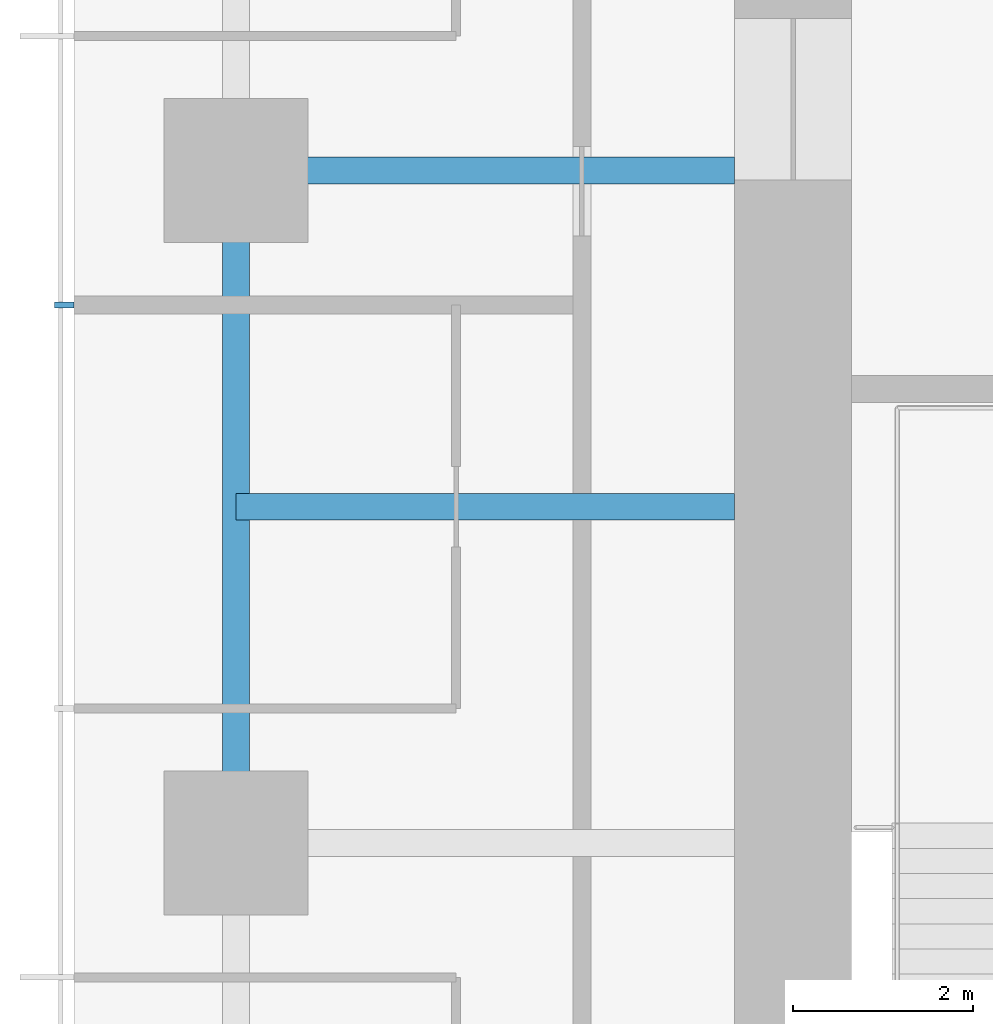
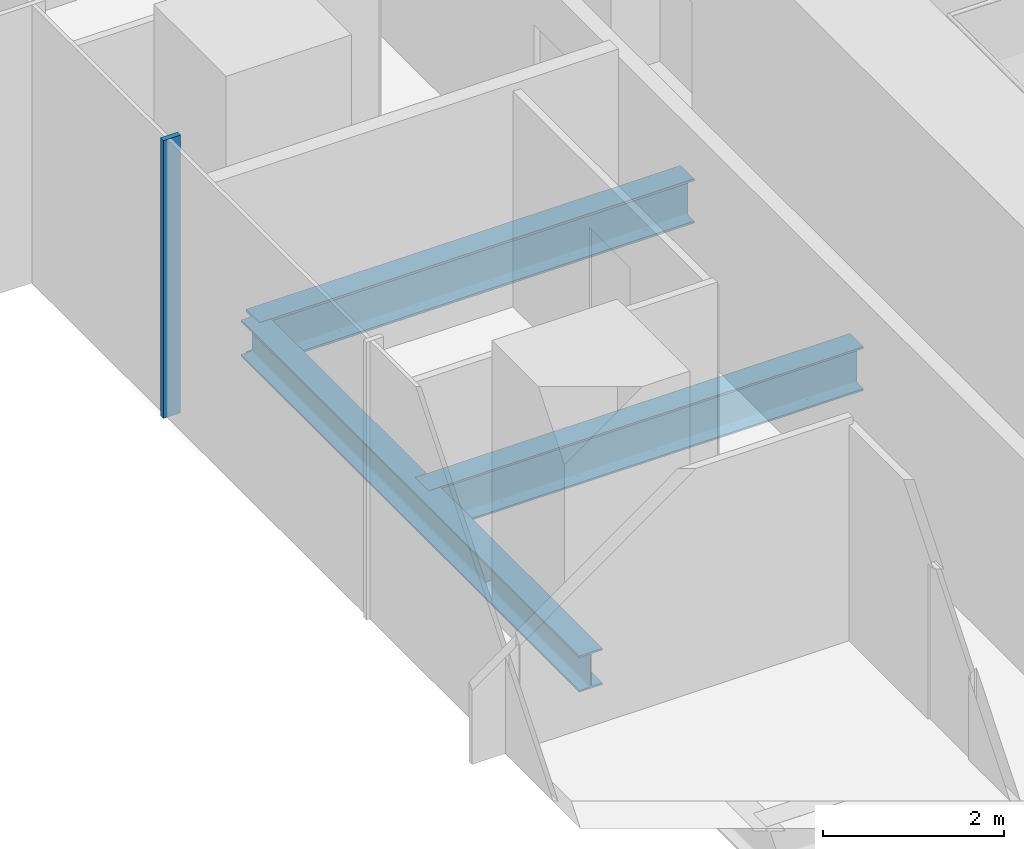
# One storey, part 3 of 12: 3 beams, 1 member, 1 element without a shape of its own.
"""IFC4 building model written with IfcOpenShell, lengths in metres."""

from ifc_helpers import new_model, si_unit, direction, frame, origin, origin_2d, place, context, subcontext, project, spatial, rectangle, i_section, extrude, material, material_profile, profile_set, type_object, element, aggregate, save


model = new_model("IFC4")

# Units and contexts
model_context = context("Model", 3, precision=1e-05, world=origin(), true_north=direction((0.0, 1.0)))
body_context = subcontext(model_context, "Body", "Model", "MODEL_VIEW")
ifc_project = project(units=[si_unit("LENGTHUNIT", "METRE"), si_unit("AREAUNIT", "SQUARE_METRE"), si_unit("VOLUMEUNIT", "CUBIC_METRE"), si_unit("PLANEANGLEUNIT", "RADIAN"), si_unit("MASSUNIT", "GRAM", prefix="KILO")], contexts=[model_context])

# Site, building, storey
site_placement = place(None, origin())
site = spatial("IfcSite", under=ifc_project, at=site_placement, CompositionType="ELEMENT")
building_placement = place(site_placement, origin())
building = spatial("IfcBuilding", under=site, at=building_placement, Name="Khuree Lantern Residences", CompositionType="ELEMENT")
storey_placement = place(building_placement, frame((0.0, 0.0, 308.25)))
storey = spatial("IfcBuildingStorey", under=building, at=storey_placement, Name="L77", CompositionType="ELEMENT", Elevation=308.25)

# Beams
ifc_material_1 = material(Name="Steel S355", Category="steel")
ifc_material_profile_1 = material_profile(ifc_material_1, i_section(OverallWidth=0.300048828125, OverallDepth=0.590087890625, WebThickness=0.012939453125, FlangeThickness=0.02490234375, FilletRadius=0.027099609375, at=origin_2d()), Name="HE 600 A")
ifc_profile_set_1 = profile_set([ifc_material_profile_1], Name="Steel S355")
beam_type_1 = type_object("IfcBeamType", Name="B-42 SECONDARY BEAM HE 600 A", PredefinedType="BEAM", material=ifc_profile_set_1)
beam_1_placement = place(storey_placement, frame((-21.699951171875, 3.739990234375, -0.544921875), z_axis=(1.0, 0.0, 0.0), x_axis=(0.0, 1.0, 0.0)))
element("IfcBeam", 1, at=beam_1_placement, inside=storey, type_object=beam_type_1, Name="Secondary beam W4", PredefinedType="BEAM", context=body_context, shape_type="SweptSolid", body=[
    extrude(i_section(OverallWidth=0.300048828125, OverallDepth=0.590087890625, WebThickness=0.012939453125, FlangeThickness=0.02490234375, FilletRadius=0.027099609375, at=origin_2d()), origin(), (0.0, 0.0, 1.0), 5.550048828125),
])
ifc_material_profile_2 = material_profile(ifc_material_1, i_section(OverallWidth=0.300048828125, OverallDepth=0.489990234375, WebThickness=0.011962890625, FlangeThickness=0.02294921875, FilletRadius=0.027099609375, at=origin_2d()), Name="HE 500 A")
ifc_profile_set_2 = profile_set([ifc_material_profile_2], Name="Steel S355")
beam_type_2 = type_object("IfcBeamType", Name="E-42 SPANDREL BEAM HE 500 A", PredefinedType="SPANDREL", material=ifc_profile_set_2)
beam_2_placement = place(storey_placement, frame((-21.699951171875, 0.0, -0.4951171875), z_axis=(0.0, 1.0, 0.0), x_axis=(-1.0, 0.0, 0.0)))
element("IfcBeam", 2, at=beam_2_placement, inside=storey, type_object=beam_type_2, Name="Spandrel beam W4", PredefinedType="SPANDREL", context=body_context, shape_type="SweptSolid", body=[
    extrude(i_section(OverallWidth=0.300048828125, OverallDepth=0.489990234375, WebThickness=0.011962890625, FlangeThickness=0.02294921875, FilletRadius=0.027099609375, at=origin_2d()), origin(), (0.0, 0.0, 1.0), 7.47998046875),
])
ifc_material_profile_3 = material_profile(ifc_material_1, i_section(OverallWidth=0.300048828125, OverallDepth=0.60009765625, WebThickness=0.015380859375, FlangeThickness=0.030029296875, FilletRadius=0.027099609375, at=origin_2d()), Name="HE 600 B")
ifc_profile_set_3 = profile_set([ifc_material_profile_3], Name="Steel S355")
beam_type_3 = type_object("IfcBeamType", Name="G-42 GIRDER HE 600 B", PredefinedType="BEAM", material=ifc_profile_set_3)
beam_3_placement = place(storey_placement, frame((-21.699951171875, 7.47998046875, -0.550048828125), z_axis=(1.0, 0.0, 0.0), x_axis=(0.0, 1.0, 0.0)))
element("IfcBeam", 3, at=beam_3_placement, inside=storey, type_object=beam_type_3, Name="Girder W4", PredefinedType="BEAM", context=body_context, shape_type="SweptSolid", body=[
    extrude(i_section(OverallWidth=0.300048828125, OverallDepth=0.60009765625, WebThickness=0.015380859375, FlangeThickness=0.030029296875, FilletRadius=0.027099609375, at=origin_2d()), origin(), (0.0, 0.0, 1.0), 5.550048828125),
])

# Curtain wall, member
ifc_material_2 = material(Name="Bronze anodised aluminium", Category="aluminium")
curtain_wall_type = type_object("IfcCurtainWallType", Name="CW-T1 TOWER FACE CURTAIN WALL", PredefinedType="USERDEFINED", material=ifc_material_2)
curtain_wall_placement = place(storey_placement, origin())
curtain_wall = element("IfcCurtainWall", 4, at=curtain_wall_placement, inside=storey, type_object=curtain_wall_type, Name="L77 WEST FACE CURTAIN WALL", ObjectType="Stick-built curtain wall", PredefinedType="USERDEFINED")
ifc_material_profile_4 = material_profile(ifc_material_2, rectangle(XDim=0.06494140625, YDim=0.219970703125, at=origin_2d()), Name="M1 65X220")
ifc_profile_set_4 = profile_set([ifc_material_profile_4], Name="Bronze anodised aluminium")
member_type = type_object("IfcMemberType", Name="M1 BRONZE MULLION TOWER 65X220", PredefinedType="MULLION", material=ifc_profile_set_4)
member_placement = place(storey_placement, frame((-23.610107421875, 5.98388671875, 0.0), z_axis=(0.0, 0.0, 1.0), x_axis=(0.0, -1.0, 0.0)))
member = element("IfcMember", 5, at=member_placement, type_object=member_type, Name="L77 WEST FACE MULLION 36", PredefinedType="MULLION", context=body_context, shape_type="SweptSolid", body=[
    extrude(rectangle(XDim=0.06494140625, YDim=0.219970703125, at=origin_2d()), origin(), (0.0, 0.0, 1.0), 3.75),
])
aggregate(curtain_wall, [member])

save(model, "model.ifc")
